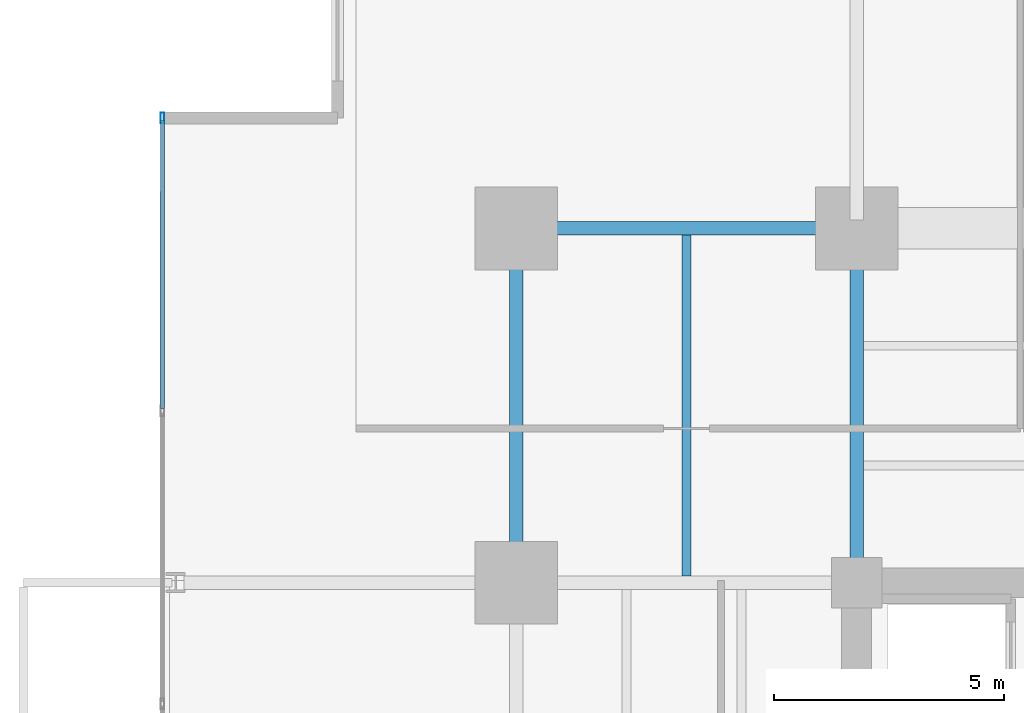
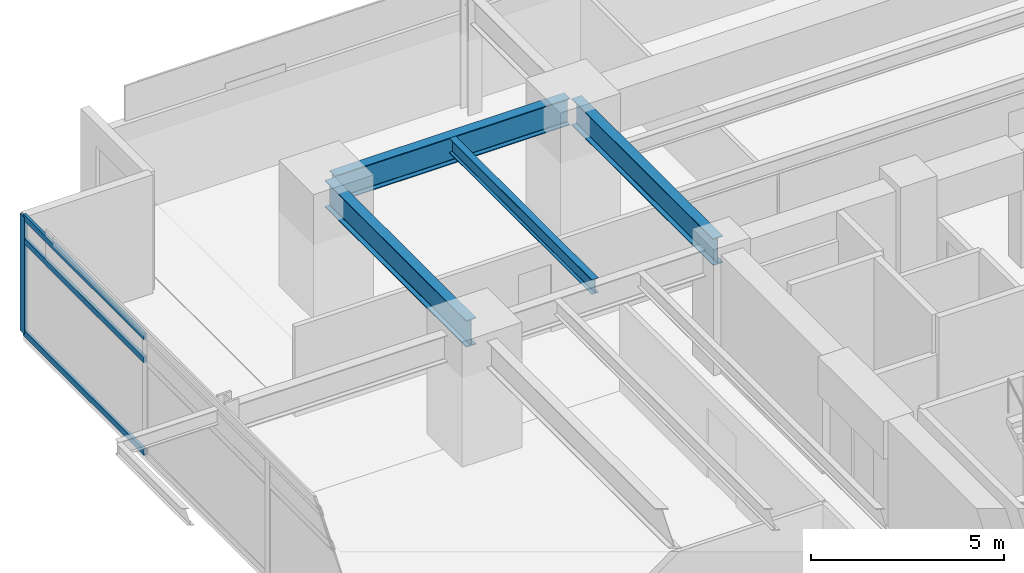
# One storey, part 11 of 22: 4 beams, 4 members, 1 element without a shape of its own.
"""IFC4 building model written with IfcOpenShell, lengths in metres."""

import ifcopenshell
import ifcopenshell.guid

model = None  # the IFC model being written
_history = None  # IfcOwnerHistory: only IFC2X3 demands one
_inside = {}  # id of a spatial element -> (the spatial element, [elements in it])
_under = {}  # id of a project, library or spatial element -> (it, [spatial elements below it])
_declared = {}  # id of a project -> (the project, [libraries it declares])
_typed = {}  # id of a type object -> (the type object, [elements of that type])
_made_of = {}  # id of a material, layer set ... -> (it, [elements and type objects made of it])


def new_model(schema):
    """Start an empty IFC model of exactly this schema.

    Asked for "IFC4X3", IfcOpenShell would pick the latest addendum, in which some entities
    have other attributes; the version numbers below select the first issue.
    IFC2X3 requires an IfcOwnerHistory on every rooted entity: one is made here for all.
    """
    global model, _history
    if schema == "IFC4X3":
        model = ifcopenshell.file(schema_version=(4, 3, 0, 0))
    else:
        model = ifcopenshell.file(schema=schema)
    _inside.clear()
    _under.clear()
    _declared.clear()
    _typed.clear()
    _made_of.clear()
    _history = None
    if model.schema == "IFC2X3":
        org = make("IfcOrganization", Name="unknown")
        user = make(
            "IfcPersonAndOrganization",
            ThePerson=make("IfcPerson", FamilyName="unknown"),
            TheOrganization=org,
        )
        app = make(
            "IfcApplication",
            ApplicationDeveloper=org,
            Version="unknown",
            ApplicationFullName="unknown",
            ApplicationIdentifier="unknown",
        )
        _history = make(
            "IfcOwnerHistory",
            OwningUser=user,
            OwningApplication=app,
            ChangeAction="ADDED",
            CreationDate=0,
        )
    return model


def make(cls, **values):
    """One entity of the class cls with the attributes given. An attribute that is None is left unset."""
    return model.create_entity(
        cls, **{name: value for name, value in values.items() if value is not None}
    )


def rooted(cls, **values):
    """An entity with a GlobalId (a new one), such as an element, a storey or a relation."""
    return make(cls, GlobalId=ifcopenshell.guid.new(), OwnerHistory=_history, **values)


def si_unit(unit_type, name, prefix=None):
    """IfcSIUnit, for example si_unit("LENGTHUNIT", "METRE", prefix="MILLI")."""
    return make("IfcSIUnit", UnitType=unit_type, Prefix=prefix, Name=name)


def assignment(units):
    """IfcUnitAssignment: the units of a project."""
    return None if units is None else make("IfcUnitAssignment", Units=units)


def point(xyz):
    """IfcCartesianPoint."""
    return None if xyz is None else make("IfcCartesianPoint", Coordinates=xyz)


def direction(xyz):
    """IfcDirection."""
    return None if xyz is None else make("IfcDirection", DirectionRatios=xyz)


def frame(location, z_axis=None, x_axis=None):
    """IfcAxis2Placement3D, a coordinate frame: its origin and axes. An axis left out is left unset."""
    return make(
        "IfcAxis2Placement3D",
        Location=point(location),
        Axis=direction(z_axis),
        RefDirection=direction(x_axis),
    )


def frame_2d(location, x_axis=None):
    """IfcAxis2Placement2D, a coordinate frame in the plane: its origin and x axis."""
    return make(
        "IfcAxis2Placement2D", Location=point(location), RefDirection=direction(x_axis)
    )


def origin():
    """The frame at (0, 0, 0) with its axes left unset."""
    return frame((0.0, 0.0, 0.0))


def origin_2d():
    """The frame at (0, 0) in the plane with its x axis left unset."""
    return frame_2d((0.0, 0.0))


def place(relative_to, where):
    """IfcLocalPlacement: puts the frame where relative to a parent placement (None: the world)."""
    return make(
        "IfcLocalPlacement", PlacementRelTo=relative_to, RelativePlacement=where
    )


def context(
    kind, dimensions, precision=None, world=None, true_north=None, identifier=None
):
    """IfcGeometricRepresentationContext, for example the 3D "Model" context."""
    return make(
        "IfcGeometricRepresentationContext",
        ContextIdentifier=identifier,
        ContextType=kind,
        CoordinateSpaceDimension=dimensions,
        Precision=precision,
        WorldCoordinateSystem=world,
        TrueNorth=true_north,
    )


def subcontext(parent, identifier, kind, view, scale=None):
    """IfcGeometricRepresentationSubContext, for example "Body" below "Model"."""
    return make(
        "IfcGeometricRepresentationSubContext",
        ContextIdentifier=identifier,
        ContextType=kind,
        ParentContext=parent,
        TargetScale=scale,
        TargetView=view,
    )


def project(units=None, contexts=None):
    """IfcProject with its units and contexts."""
    return rooted(
        "IfcProject",
        Name="project",
        RepresentationContexts=contexts,
        UnitsInContext=assignment(units),
    )


def spatial(cls, under=None, at=None, **own):
    """A site, building, storey or space (cls), placed at a placement, below another one or the project."""
    s = rooted(cls, ObjectPlacement=at, **own)
    if under is not None:
        _under.setdefault(under.id(), (under, []))[1].append(s)
    return s


def profile(cls, at=None, kind="AREA", **sizes):
    """A parametric profile (cls). Its sizes go by their IFC names, for example OverallWidth=200.0."""
    return make(cls, ProfileType=kind, Position=at, **sizes)


def hollow_rectangle(**sizes):
    """IfcRectangleHollowProfileDef."""
    return profile("IfcRectangleHollowProfileDef", **sizes)


def i_section(**sizes):
    """IfcIShapeProfileDef."""
    return profile("IfcIShapeProfileDef", **sizes)


def extrude(swept, where, along, depth):
    """IfcExtrudedAreaSolid: the profile swept, set in the frame where, extruded along a direction by depth."""
    return make(
        "IfcExtrudedAreaSolid",
        SweptArea=swept,
        Position=where,
        ExtrudedDirection=direction(along),
        Depth=depth,
    )


def shape(context_of_items, identifier, shape_type, items):
    """IfcShapeRepresentation: the items that make up one representation, for example the "Body"."""
    return make(
        "IfcShapeRepresentation",
        ContextOfItems=context_of_items,
        RepresentationIdentifier=identifier,
        RepresentationType=shape_type,
        Items=items,
    )


def material(Name=None, Category=None):
    """IfcMaterial."""
    return make("IfcMaterial", Name=Name, Category=Category)


def material_profile(
    of_material, cross_section, Name=None, Category=None, Priority=None
):
    """IfcMaterialProfile: a cross section and its material."""
    return make(
        "IfcMaterialProfile",
        Name=Name,
        Material=of_material,
        Profile=cross_section,
        Priority=Priority,
        Category=Category,
    )


def profile_set(profiles, Name=None, composite=None):
    """IfcMaterialProfileSet."""
    return make(
        "IfcMaterialProfileSet",
        Name=Name,
        MaterialProfiles=profiles,
        CompositeProfile=composite,
    )


def made_of(thing, what):
    """Note that an element or type object is made of a material, layer set ...; save() writes the relation."""
    if what is not None:
        _made_of.setdefault(what.id(), (what, []))[1].append(thing)
    return thing


def type_object(cls, material=None, **own):
    """A type object (cls), such as IfcWallType, which elements share."""
    return made_of(rooted(cls, **own), material)


def element(
    cls,
    number,
    at=None,
    inside=None,
    cuts=None,
    type_object=None,
    material=None,
    context=None,
    identifier="Body",
    shape_type=None,
    held_by="IfcProductDefinitionShape",
    body=None,
    shapes=None,
    **own,
):
    """One element of the class cls, such as IfcWall. Its Tag is "e" and its number.

    at: its placement. inside: the storey or other place that contains it. cuts: it is an
    opening in that element (IfcRelVoidsElement). A single representation is given by context,
    identifier, shape_type and body (its items); several are given by shapes. held_by: the class
    of the entity that holds the representations. save() writes the other relations.
    """
    e = rooted(cls, Tag="e%d" % number, ObjectPlacement=at, **own)
    if body is not None:
        shapes = [shape(context, identifier, shape_type, body)]
    if shapes is not None:
        e.Representation = make(held_by, Representations=shapes)
    if inside is not None:
        _inside.setdefault(inside.id(), (inside, []))[1].append(e)
    if cuts is not None:
        rooted(
            "IfcRelVoidsElement", RelatingBuildingElement=cuts, RelatedOpeningElement=e
        )
    if type_object is not None:
        _typed.setdefault(type_object.id(), (type_object, []))[1].append(e)
    return made_of(e, material)


def aggregate(whole, parts):
    """IfcRelAggregates: a whole, such as a stair, and the parts it consists of."""
    return rooted("IfcRelAggregates", RelatingObject=whole, RelatedObjects=parts)


def save(model, path):
    """Write the relations noted so far, then the file.

    IfcRelAggregates (storeys below a building ...), IfcRelContainedInSpatialStructure (elements
    in a storey), IfcRelDefinesByType, IfcRelAssociatesMaterial and IfcRelDeclares: one each for
    every whole, place, type object, material and project.
    """
    for whole, parts in _under.values():
        aggregate(whole, parts)
    for where, things in _inside.values():
        rooted(
            "IfcRelContainedInSpatialStructure",
            RelatedElements=things,
            RelatingStructure=where,
        )
    for kind, things in _typed.values():
        rooted("IfcRelDefinesByType", RelatedObjects=things, RelatingType=kind)
    for what, things in _made_of.values():
        rooted("IfcRelAssociatesMaterial", RelatedObjects=things, RelatingMaterial=what)
    for by, libraries in _declared.values():
        rooted("IfcRelDeclares", RelatingContext=by, RelatedDefinitions=libraries)
    model.write(path)


model = new_model("IFC4")

# Units and contexts
model_context = context("Model", 3, precision=1e-05, world=origin(), true_north=direction((0.0, 1.0)))
body_context = subcontext(model_context, "Body", "Model", "MODEL_VIEW")
ifc_project = project(units=[si_unit("LENGTHUNIT", "METRE"), si_unit("AREAUNIT", "SQUARE_METRE"), si_unit("VOLUMEUNIT", "CUBIC_METRE"), si_unit("PLANEANGLEUNIT", "RADIAN"), si_unit("MASSUNIT", "GRAM", prefix="KILO")], contexts=[model_context])

# Site, building, storey
site_placement = place(None, origin())
site = spatial("IfcSite", under=ifc_project, at=site_placement, CompositionType="ELEMENT")
building_placement = place(site_placement, origin())
building = spatial("IfcBuilding", under=site, at=building_placement, Name="Kovane Verandah Tower", CompositionType="ELEMENT")
storey_placement = place(building_placement, frame((0.0, 0.0, 71.60009765625)))
storey = spatial("IfcBuildingStorey", under=building, at=storey_placement, Name="L16", CompositionType="ELEMENT", Elevation=71.60009765625)

# Beams
ifc_material_1 = material(Name="Steel S355", Category="steel")
ifc_material_profile_1 = material_profile(ifc_material_1, i_section(OverallWidth=0.293701171875, OverallDepth=0.850830078125, WebThickness=0.01611328125, FlangeThickness=0.02685546875, FilletRadius=0.017822265625, at=origin_2d()), Name="UB838x292x226")
ifc_profile_set_1 = profile_set([ifc_material_profile_1], Name="Steel S355")
beam_type_1 = type_object("IfcBeamType", Name="BM-UB838x226", PredefinedType="BEAM", material=ifc_profile_set_1)
beam_1_placement = place(storey_placement, frame((21.780029296875, 44.199951171875, 3.33447265625), z_axis=(1.0, 0.0, 0.0), x_axis=(0.0, 1.0, 0.0)))
element("IfcBeam", 1, at=beam_1_placement, inside=storey, type_object=beam_type_1, Name="L16 Primary Tower Girder G-RN1", PredefinedType="BEAM", context=body_context, shape_type="SweptSolid", body=[
    extrude(i_section(OverallWidth=0.293701171875, OverallDepth=0.850830078125, WebThickness=0.01611328125, FlangeThickness=0.02685546875, FilletRadius=0.017822265625, at=origin_2d()), origin(), (0.0, 0.0, 1.0), 7.0400390625),
])
for number, where, z_axis, x_axis, name in (
    (2, (21.60009765625, 36.679931640625, 3.33447265625), (0.0, 1.0, 0.0), (-1.0, 0.0, 0.0), "L16 Primary Tower Girder G-RW3"),
    (3, (29.0, 36.679931640625, 3.33447265625), (0.0, 1.0, 0.0), (-1.0, 0.0, 0.0), "L16 Primary Tower Girder G-N1"),
):
    element("IfcBeam", number, at=place(storey_placement, frame(where, z_axis=z_axis, x_axis=x_axis)), inside=storey, type_object=beam_type_1, Name=name, PredefinedType="BEAM", context=body_context, shape_type="SweptSolid", body=[
        extrude(i_section(OverallWidth=0.293701171875, OverallDepth=0.850830078125, WebThickness=0.01611328125, FlangeThickness=0.02685546875, FilletRadius=0.017822265625, at=origin_2d()), origin(), (0.0, 0.0, 1.0), 7.340087890625),
    ])

# Curtain wall, members
ifc_material_2 = material(Name="Champagne Anodised Aluminium Frame with Low-E Clear Laminated Glass", Category="aluminium")
curtain_wall_type = type_object("IfcCurtainWallType", Name="CW-SYS-02-LOW", PredefinedType="NOTDEFINED", material=ifc_material_2)
curtain_wall_placement = place(storey_placement, origin())
curtain_wall = element("IfcCurtainWall", 4, at=curtain_wall_placement, inside=storey, type_object=curtain_wall_type, Name="L16 W Unitised Curtain Wall", PredefinedType="NOTDEFINED")
ifc_material_3 = material(Name="Champagne Anodised Aluminium 6063-T6", Category="aluminium")
ifc_material_profile_2 = material_profile(ifc_material_3, hollow_rectangle(XDim=0.0849609375, YDim=0.22998046875, WallThickness=0.00390625, at=origin_2d()), Name="AL85x230x4")
ifc_profile_set_2 = profile_set([ifc_material_profile_2], Name="Champagne Anodised Aluminium 6063-T6")
member_type_1 = type_object("IfcMemberType", Name="CW-MUL-85x230", PredefinedType="MULLION", material=ifc_profile_set_2)
member_1_placement = place(storey_placement, frame((13.91357421875, 46.6005859375, 0.02001953125), z_axis=(0.0, 0.0, 1.0), x_axis=(-1.0, 0.0, 0.0)))
member_1 = element("IfcMember", 5, at=member_1_placement, type_object=member_type_1, Name="L16 W Unitised Curtain Wall Mullion 1", PredefinedType="MULLION", context=body_context, shape_type="SweptSolid", body=[
    extrude(hollow_rectangle(XDim=0.0849609375, YDim=0.22998046875, WallThickness=0.00390625, at=origin_2d()), origin(), (0.0, 0.0, 1.0), 3.719970703125),
])
ifc_material_profile_3 = material_profile(ifc_material_3, hollow_rectangle(XDim=0.0849609375, YDim=0.18994140625, WallThickness=0.00390625, at=origin_2d()), Name="AL85x190x4")
ifc_profile_set_3 = profile_set([ifc_material_profile_3], Name="Champagne Anodised Aluminium 6063-T6")
member_type_2 = type_object("IfcMemberType", Name="CW-TRN-85x190", PredefinedType="USERDEFINED", material=ifc_profile_set_3)
member_2_placement = place(storey_placement, frame((13.91357421875, 46.550537109375, 0.0498046875), z_axis=(0.0, -1.0, 0.0), x_axis=(1.0, 0.0, 0.0)))
member_2 = element("IfcMember", 6, at=member_2_placement, type_object=member_type_2, Name="L16 W Unitised Curtain Wall Transom TB Bay 1", ObjectType="TRANSOM", PredefinedType="USERDEFINED", context=body_context, shape_type="SweptSolid", body=[
    extrude(hollow_rectangle(XDim=0.0849609375, YDim=0.18994140625, WallThickness=0.00390625, at=origin_2d()), origin(), (0.0, 0.0, 1.0), 6.266845703125),
])
member_3_placement = place(storey_placement, frame((13.91357421875, 46.550537109375, 2.97998046875), z_axis=(0.0, -1.0, 0.0), x_axis=(1.0, 0.0, 0.0)))
member_3 = element("IfcMember", 7, at=member_3_placement, type_object=member_type_2, Name="L16 W Unitised Curtain Wall Transom TM Bay 1", ObjectType="TRANSOM", PredefinedType="USERDEFINED", context=body_context, shape_type="SweptSolid", body=[
    extrude(hollow_rectangle(XDim=0.0849609375, YDim=0.18994140625, WallThickness=0.00390625, at=origin_2d()), origin(), (0.0, 0.0, 1.0), 6.266845703125),
])
member_4_placement = place(storey_placement, frame((13.91357421875, 46.550537109375, 3.7099609375), z_axis=(0.0, -1.0, 0.0), x_axis=(1.0, 0.0, 0.0)))
member_4 = element("IfcMember", 8, at=member_4_placement, type_object=member_type_2, Name="L16 W Unitised Curtain Wall Transom TT Bay 1", ObjectType="TRANSOM", PredefinedType="USERDEFINED", context=body_context, shape_type="SweptSolid", body=[
    extrude(hollow_rectangle(XDim=0.0849609375, YDim=0.18994140625, WallThickness=0.00390625, at=origin_2d()), origin(), (0.0, 0.0, 1.0), 6.266845703125),
])
aggregate(curtain_wall, [member_1, member_2, member_3, member_4])

# Beam
ifc_material_profile_4 = material_profile(ifc_material_1, i_section(OverallWidth=0.19287109375, OverallDepth=0.46728515625, WebThickness=0.011474609375, FlangeThickness=0.01953125, FilletRadius=0.01025390625, at=origin_2d()), Name="UB457x191x98")
ifc_profile_set_4 = profile_set([ifc_material_profile_4], Name="Steel S355")
beam_type_2 = type_object("IfcBeamType", Name="JST-UB457x98", PredefinedType="JOIST", material=ifc_profile_set_4)
beam_2_placement = place(storey_placement, frame((25.300048828125, 36.64501953125, 3.5263671875), z_axis=(0.0, 1.0, 0.0), x_axis=(-1.0, 0.0, 0.0)))
element("IfcBeam", 9, at=beam_2_placement, inside=storey, type_object=beam_type_2, Name="L16 Secondary Composite Joist J-NW1", PredefinedType="JOIST", context=body_context, shape_type="SweptSolid", body=[
    extrude(i_section(OverallWidth=0.19287109375, OverallDepth=0.46728515625, WebThickness=0.011474609375, FlangeThickness=0.01953125, FilletRadius=0.01025390625, at=origin_2d()), origin(), (0.0, 0.0, 1.0), 7.41015625),
])

save(model, "model.ifc")
